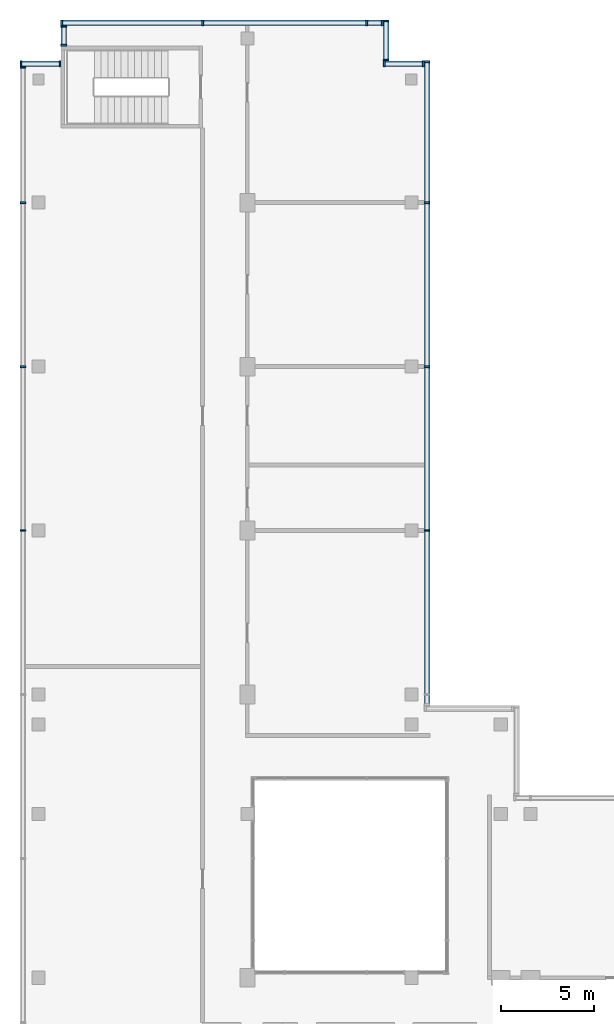
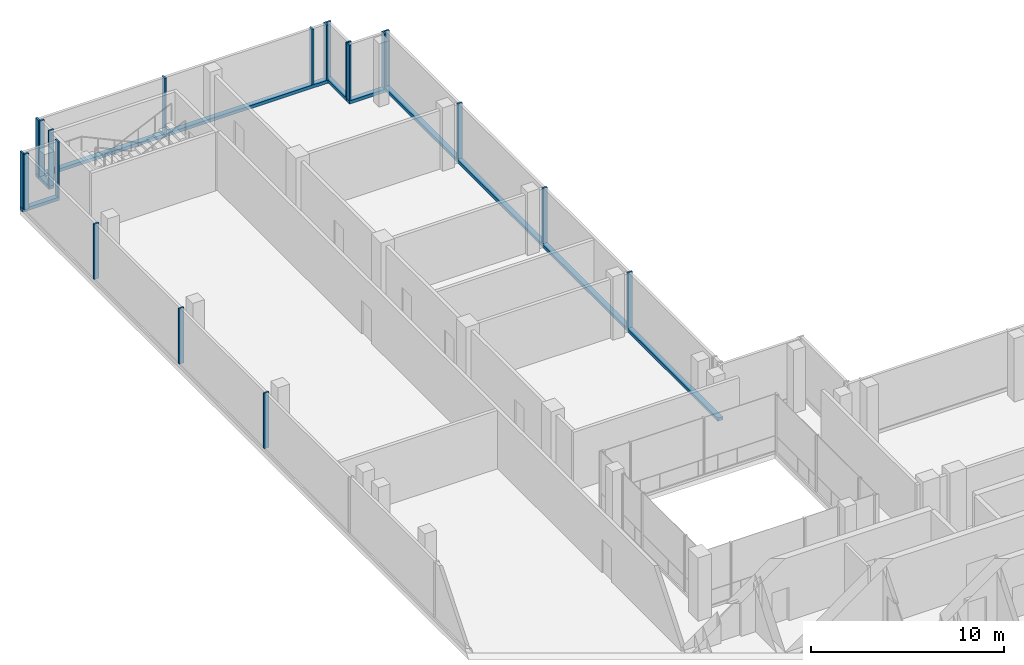
# One storey, part 6 of 10: 26 members, 7 elements without a shape of their own.
"""IFC4 building model written with IfcOpenShell, lengths in metres."""

from ifc_helpers import new_model, si_unit, direction, frame, origin, origin_2d, place, context, subcontext, project, spatial, rectangle, extrude, source, transform, mapped, material, material_profile, profile_set, type_object, element, aggregate, save


model = new_model("IFC4")

# Units and contexts
model_context = context("Model", 3, precision=1e-05, world=origin(), true_north=direction((0.0, 1.0)))
body_context = subcontext(model_context, "Body", "Model", "MODEL_VIEW")
ifc_project = project(units=[si_unit("LENGTHUNIT", "METRE"), si_unit("AREAUNIT", "SQUARE_METRE"), si_unit("VOLUMEUNIT", "CUBIC_METRE"), si_unit("PLANEANGLEUNIT", "RADIAN"), si_unit("MASSUNIT", "GRAM", prefix="KILO")], contexts=[model_context])

# Site, building, storey
site_placement = place(None, origin())
site = spatial("IfcSite", under=ifc_project, at=site_placement, CompositionType="ELEMENT")
building_placement = place(site_placement, origin())
building = spatial("IfcBuilding", under=site, at=building_placement, Name="Kemantara Hotel Tower", CompositionType="ELEMENT")
storey_placement = place(building_placement, frame((0.0, 0.0, 318.199951171875)))
storey = spatial("IfcBuildingStorey", under=building, at=storey_placement, Name="L80", CompositionType="ELEMENT", Elevation=318.199951171875)

# Curtain wall, member
ifc_material = material(Name="Aluminium 6063-T6 bronze anodised", Category="aluminium")
curtain_wall_type = type_object("IfcCurtainWallType", Name="CROWN LOUVRE SCREEN WALL", PredefinedType="USERDEFINED", material=ifc_material)
curtain_wall_1_placement = place(storey_placement, origin())
curtain_wall_1 = element("IfcCurtainWall", 1, at=curtain_wall_1_placement, inside=storey, type_object=curtain_wall_type, Name="CW7 L80 CRN-R02-1", ObjectType="CROWN LOUVRE SCREEN WALL", PredefinedType="USERDEFINED")
ifc_material_profile_1 = material_profile(ifc_material, rectangle(XDim=0.300048828125, YDim=0.199951171875, at=origin_2d()), Name="CROWN LOUVRE SCREEN WALL TRANSOM")
ifc_profile_set_1 = profile_set([ifc_material_profile_1], Name="Aluminium 6063-T6 bronze anodised")
member_type_1 = type_object("IfcMemberType", Name="CROWN LOUVRE SCREEN WALL TRANSOM", PredefinedType="USERDEFINED", material=ifc_profile_set_1)
member_1_placement = place(storey_placement, frame((19.5, 63.449951171875, 0.10009765625), z_axis=(-1.0, 0.0, 0.0), x_axis=(0.0, -1.0, 0.0)))
member_1 = element("IfcMember", 2, at=member_1_placement, type_object=member_type_1, Name="CW7 sill transom CRN-R02-1", ObjectType="TRANSOM", PredefinedType="USERDEFINED", context=body_context, shape_type="SweptSolid", body=[
    extrude(rectangle(XDim=0.300048828125, YDim=0.199951171875, at=origin_2d()), origin(), (0.0, 0.0, 1.0), 17.300048828125),
])

curtain_wall_2_placement = place(storey_placement, origin())
curtain_wall_2 = element("IfcCurtainWall", 3, at=curtain_wall_2_placement, inside=storey, type_object=curtain_wall_type, Name="CW7 L80 CRN-R15-1", ObjectType="CROWN LOUVRE SCREEN WALL", PredefinedType="USERDEFINED")
member_2_placement = place(storey_placement, frame((21.85009765625, 26.800048828125, 0.10009765625), z_axis=(0.0, 1.0, 0.0), x_axis=(-1.0, 0.0, 0.0)))
member_2 = element("IfcMember", 4, at=member_2_placement, type_object=member_type_1, Name="CW7 sill transom CRN-R15-1", ObjectType="TRANSOM", PredefinedType="USERDEFINED", context=body_context, shape_type="SweptSolid", body=[
    extrude(rectangle(XDim=0.300048828125, YDim=0.199951171875, at=origin_2d()), origin(), (0.0, 0.0, 1.0), 34.599853515625),
])

curtain_wall_3_placement = place(storey_placement, origin())
curtain_wall_3 = element("IfcCurtainWall", 5, at=curtain_wall_3_placement, inside=storey, type_object=curtain_wall_type, Name="CW7 L80 CRN-R00-1", ObjectType="CROWN LOUVRE SCREEN WALL", PredefinedType="USERDEFINED")
member_3_placement = place(storey_placement, frame((21.699951171875, 61.25, 0.10009765625), z_axis=(-1.0, 0.0, 0.0), x_axis=(0.0, -1.0, 0.0)))
member_3 = element("IfcMember", 6, at=member_3_placement, type_object=member_type_1, Name="CW7 sill transom CRN-R00-1", ObjectType="TRANSOM", PredefinedType="USERDEFINED", context=body_context, shape_type="SweptSolid", body=[
    extrude(rectangle(XDim=0.300048828125, YDim=0.199951171875, at=origin_2d()), origin(), (0.0, 0.0, 1.0), 2.199951171875),
])

curtain_wall_4_placement = place(storey_placement, origin())
curtain_wall_4 = element("IfcCurtainWall", 7, at=curtain_wall_4_placement, inside=storey, type_object=curtain_wall_type, Name="CW7 L80 CRN-R01-1", ObjectType="CROWN LOUVRE SCREEN WALL", PredefinedType="USERDEFINED")
member_4_placement = place(storey_placement, frame((19.64990234375, 61.39990234375, 0.10009765625), z_axis=(0.0, 1.0, 0.0), x_axis=(-1.0, 0.0, 0.0)))
member_4 = element("IfcMember", 8, at=member_4_placement, type_object=member_type_1, Name="CW7 sill transom CRN-R01-1", ObjectType="TRANSOM", PredefinedType="USERDEFINED", context=body_context, shape_type="SweptSolid", body=[
    extrude(rectangle(XDim=0.300048828125, YDim=0.199951171875, at=origin_2d()), origin(), (0.0, 0.0, 1.0), 2.2001953125),
])

curtain_wall_5_placement = place(storey_placement, origin())
curtain_wall_5 = element("IfcCurtainWall", 9, at=curtain_wall_5_placement, inside=storey, type_object=curtain_wall_type, Name="CW7 L80 CRN-R03-1", ObjectType="CROWN LOUVRE SCREEN WALL", PredefinedType="USERDEFINED")
member_5_placement = place(storey_placement, frame((2.35009765625, 63.300048828125, 0.10009765625), z_axis=(0.0, -1.0, 0.0), x_axis=(1.0, 0.0, 0.0)))
member_5 = element("IfcMember", 10, at=member_5_placement, type_object=member_type_1, Name="CW7 sill transom CRN-R03-1", ObjectType="TRANSOM", PredefinedType="USERDEFINED", context=body_context, shape_type="SweptSolid", body=[
    extrude(rectangle(XDim=0.300048828125, YDim=0.199951171875, at=origin_2d()), origin(), (0.0, 0.0, 1.0), 1.10009765625),
])

curtain_wall_6_placement = place(storey_placement, origin())
curtain_wall_6 = element("IfcCurtainWall", 11, at=curtain_wall_6_placement, inside=storey, type_object=curtain_wall_type, Name="CW7 L80 CRN-R04-1", ObjectType="CROWN LOUVRE SCREEN WALL", PredefinedType="USERDEFINED")
member_6_placement = place(storey_placement, frame((2.199951171875, 61.25, 0.10009765625), z_axis=(-1.0, 0.0, 0.0), x_axis=(0.0, -1.0, 0.0)))
member_6 = element("IfcMember", 12, at=member_6_placement, type_object=member_type_1, Name="CW7 sill transom CRN-R04-1", ObjectType="TRANSOM", PredefinedType="USERDEFINED", context=body_context, shape_type="SweptSolid", body=[
    extrude(rectangle(XDim=0.300048828125, YDim=0.199951171875, at=origin_2d()), origin(), (0.0, 0.0, 1.0), 2.199951171875),
])

# Member
ifc_material_profile_2 = material_profile(ifc_material, rectangle(XDim=0.300048828125, YDim=0.10009765625, at=origin_2d()), Name="CROWN LOUVRE SCREEN WALL MULLION")
ifc_profile_set_2 = profile_set([ifc_material_profile_2], Name="Aluminium 6063-T6 bronze anodised")
member_type_2 = type_object("IfcMemberType", Name="CROWN LOUVRE SCREEN WALL MULLION", PredefinedType="MULLION", material=ifc_profile_set_2)
shared_shape = source(origin(), body_context, "Body", "SweptSolid", [
    extrude(rectangle(XDim=0.300048828125, YDim=0.10009765625, at=origin_2d()), origin(), (0.0, 0.0, 1.0), 3.5),
])
member_7_placement = place(storey_placement, frame((19.449951171875, 63.449951171875, 0.199951171875), z_axis=(0.0, 0.0, 1.0), x_axis=(0.0, -1.0, 0.0)))
member_7 = element("IfcMember", 13, at=member_7_placement, type_object=member_type_2, Name="CW7 mullion CRN-R02-1.1", PredefinedType="MULLION", context=body_context, shape_type="MappedRepresentation", body=[
    mapped(shared_shape, transform((0.0, 0.0, 0.0))),
])

member_8_placement = place(storey_placement, frame((18.60009765625, 63.449951171875, 0.199951171875), z_axis=(0.0, 0.0, 1.0), x_axis=(0.0, -1.0, 0.0)))
member_8 = element("IfcMember", 14, at=member_8_placement, type_object=member_type_2, Name="CW7 mullion CRN-R02-1.2", PredefinedType="MULLION", context=body_context, shape_type="MappedRepresentation", body=[
    mapped(shared_shape, transform((0.0, 0.0, 0.0))),
])

member_9_placement = place(storey_placement, frame((9.800048828125, 63.449951171875, 0.199951171875), z_axis=(0.0, 0.0, 1.0), x_axis=(0.0, -1.0, 0.0)))
member_9 = element("IfcMember", 15, at=member_9_placement, type_object=member_type_2, Name="CW7 mullion CRN-R02-1.3", PredefinedType="MULLION", context=body_context, shape_type="MappedRepresentation", body=[
    mapped(shared_shape, transform((0.0, 0.0, 0.0))),
])

member_10_placement = place(storey_placement, frame((2.25, 63.449951171875, 0.199951171875), z_axis=(0.0, 0.0, 1.0), x_axis=(0.0, -1.0, 0.0)))
member_10 = element("IfcMember", 16, at=member_10_placement, type_object=member_type_2, Name="CW7 mullion CRN-R02-1.4", PredefinedType="MULLION", context=body_context, shape_type="MappedRepresentation", body=[
    mapped(shared_shape, transform((0.0, 0.0, 0.0))),
])

aggregate(curtain_wall_1, [member_1, member_7, member_8, member_9, member_10])

# Curtain wall, members
curtain_wall_7_placement = place(storey_placement, origin())
curtain_wall_7 = element("IfcCurtainWall", 17, at=curtain_wall_7_placement, inside=storey, type_object=curtain_wall_type, Name="CW7 L80 CRN-R05-1", ObjectType="CROWN LOUVRE SCREEN WALL", PredefinedType="USERDEFINED")
member_11_placement = place(storey_placement, frame((0.14990234375, 61.050048828125, 0.199951171875), z_axis=(0.0, 0.0, 1.0), x_axis=(1.0, 0.0, 0.0)))
member_11 = element("IfcMember", 18, at=member_11_placement, type_object=member_type_2, Name="CW7 mullion CRN-R05-1.1", PredefinedType="MULLION", context=body_context, shape_type="MappedRepresentation", body=[
    mapped(shared_shape, transform((0.0, 0.0, 0.0))),
])
member_12_placement = place(storey_placement, frame((0.14990234375, 53.800048828125, 0.199951171875), z_axis=(0.0, 0.0, 1.0), x_axis=(1.0, 0.0, 0.0)))
member_12 = element("IfcMember", 19, at=member_12_placement, type_object=member_type_2, Name="CW7 mullion CRN-R05-1.2", PredefinedType="MULLION", context=body_context, shape_type="MappedRepresentation", body=[
    mapped(shared_shape, transform((0.0, 0.0, 0.0))),
])
member_13_placement = place(storey_placement, frame((0.14990234375, 45.0, 0.199951171875), z_axis=(0.0, 0.0, 1.0), x_axis=(1.0, 0.0, 0.0)))
member_13 = element("IfcMember", 20, at=member_13_placement, type_object=member_type_2, Name="CW7 mullion CRN-R05-1.3", PredefinedType="MULLION", context=body_context, shape_type="MappedRepresentation", body=[
    mapped(shared_shape, transform((0.0, 0.0, 0.0))),
])
member_14_placement = place(storey_placement, frame((0.14990234375, 36.199951171875, 0.199951171875), z_axis=(0.0, 0.0, 1.0), x_axis=(1.0, 0.0, 0.0)))
member_14 = element("IfcMember", 21, at=member_14_placement, type_object=member_type_2, Name="CW7 mullion CRN-R05-1.4", PredefinedType="MULLION", context=body_context, shape_type="MappedRepresentation", body=[
    mapped(shared_shape, transform((0.0, 0.0, 0.0))),
])
aggregate(curtain_wall_7, [member_11, member_12, member_13, member_14])

# Member
member_15_placement = place(storey_placement, frame((21.85009765625, 36.199951171875, 0.199951171875), z_axis=(0.0, 0.0, 1.0), x_axis=(-1.0, 0.0, 0.0)))
member_15 = element("IfcMember", 22, at=member_15_placement, type_object=member_type_2, Name="CW7 mullion CRN-R15-1.3", PredefinedType="MULLION", context=body_context, shape_type="MappedRepresentation", body=[
    mapped(shared_shape, transform((0.0, 0.0, 0.0))),
])

member_16_placement = place(storey_placement, frame((21.85009765625, 45.0, 0.199951171875), z_axis=(0.0, 0.0, 1.0), x_axis=(-1.0, 0.0, 0.0)))
member_16 = element("IfcMember", 23, at=member_16_placement, type_object=member_type_2, Name="CW7 mullion CRN-R15-1.4", PredefinedType="MULLION", context=body_context, shape_type="MappedRepresentation", body=[
    mapped(shared_shape, transform((0.0, 0.0, 0.0))),
])

member_17_placement = place(storey_placement, frame((21.85009765625, 53.800048828125, 0.199951171875), z_axis=(0.0, 0.0, 1.0), x_axis=(-1.0, 0.0, 0.0)))
member_17 = element("IfcMember", 24, at=member_17_placement, type_object=member_type_2, Name="CW7 mullion CRN-R15-1.5", PredefinedType="MULLION", context=body_context, shape_type="MappedRepresentation", body=[
    mapped(shared_shape, transform((0.0, 0.0, 0.0))),
])

member_18_placement = place(storey_placement, frame((21.85009765625, 61.35009765625, 0.199951171875), z_axis=(0.0, 0.0, 1.0), x_axis=(-1.0, 0.0, 0.0)))
member_18 = element("IfcMember", 25, at=member_18_placement, type_object=member_type_2, Name="CW7 mullion CRN-R15-1.6", PredefinedType="MULLION", context=body_context, shape_type="MappedRepresentation", body=[
    mapped(shared_shape, transform((0.0, 0.0, 0.0))),
])

aggregate(curtain_wall_2, [member_2, member_15, member_16, member_17, member_18])

member_19_placement = place(storey_placement, frame((21.64990234375, 61.25, 0.199951171875), z_axis=(0.0, 0.0, 1.0), x_axis=(0.0, -1.0, 0.0)))
member_19 = element("IfcMember", 26, at=member_19_placement, type_object=member_type_2, Name="CW7 mullion CRN-R00-1.1", PredefinedType="MULLION", context=body_context, shape_type="MappedRepresentation", body=[
    mapped(shared_shape, transform((0.0, 0.0, 0.0))),
])

member_20_placement = place(storey_placement, frame((19.550048828125, 61.25, 0.199951171875), z_axis=(0.0, 0.0, 1.0), x_axis=(0.0, -1.0, 0.0)))
member_20 = element("IfcMember", 27, at=member_20_placement, type_object=member_type_2, Name="CW7 mullion CRN-R00-1.2", PredefinedType="MULLION", context=body_context, shape_type="MappedRepresentation", body=[
    mapped(shared_shape, transform((0.0, 0.0, 0.0))),
])

aggregate(curtain_wall_3, [member_3, member_19, member_20])

member_21_placement = place(storey_placement, frame((19.64990234375, 61.449951171875, 0.199951171875), z_axis=(0.0, 0.0, 1.0), x_axis=(-1.0, 0.0, 0.0)))
member_21 = element("IfcMember", 28, at=member_21_placement, type_object=member_type_2, Name="CW7 mullion CRN-R01-1.1", PredefinedType="MULLION", context=body_context, shape_type="MappedRepresentation", body=[
    mapped(shared_shape, transform((0.0, 0.0, 0.0))),
])

member_22_placement = place(storey_placement, frame((19.64990234375, 63.550048828125, 0.199951171875), z_axis=(0.0, 0.0, 1.0), x_axis=(-1.0, 0.0, 0.0)))
member_22 = element("IfcMember", 29, at=member_22_placement, type_object=member_type_2, Name="CW7 mullion CRN-R01-1.2", PredefinedType="MULLION", context=body_context, shape_type="MappedRepresentation", body=[
    mapped(shared_shape, transform((0.0, 0.0, 0.0))),
])

aggregate(curtain_wall_4, [member_4, member_21, member_22])

member_23_placement = place(storey_placement, frame((2.35009765625, 63.25, 0.199951171875), z_axis=(0.0, 0.0, 1.0), x_axis=(1.0, 0.0, 0.0)))
member_23 = element("IfcMember", 30, at=member_23_placement, type_object=member_type_2, Name="CW7 mullion CRN-R03-1.1", PredefinedType="MULLION", context=body_context, shape_type="MappedRepresentation", body=[
    mapped(shared_shape, transform((0.0, 0.0, 0.0))),
])

member_24_placement = place(storey_placement, frame((2.35009765625, 62.25, 0.199951171875), z_axis=(0.0, 0.0, 1.0), x_axis=(1.0, 0.0, 0.0)))
member_24 = element("IfcMember", 31, at=member_24_placement, type_object=member_type_2, Name="CW7 mullion CRN-R03-1.2", PredefinedType="MULLION", context=body_context, shape_type="MappedRepresentation", body=[
    mapped(shared_shape, transform((0.0, 0.0, 0.0))),
])

aggregate(curtain_wall_5, [member_5, member_23, member_24])

member_25_placement = place(storey_placement, frame((2.14990234375, 61.25, 0.199951171875), z_axis=(0.0, 0.0, 1.0), x_axis=(0.0, -1.0, 0.0)))
member_25 = element("IfcMember", 32, at=member_25_placement, type_object=member_type_2, Name="CW7 mullion CRN-R04-1.1", PredefinedType="MULLION", context=body_context, shape_type="MappedRepresentation", body=[
    mapped(shared_shape, transform((0.0, 0.0, 0.0))),
])

member_26_placement = place(storey_placement, frame((0.050048828125, 61.25, 0.199951171875), z_axis=(0.0, 0.0, 1.0), x_axis=(0.0, -1.0, 0.0)))
member_26 = element("IfcMember", 33, at=member_26_placement, type_object=member_type_2, Name="CW7 mullion CRN-R04-1.2", PredefinedType="MULLION", context=body_context, shape_type="MappedRepresentation", body=[
    mapped(shared_shape, transform((0.0, 0.0, 0.0))),
])

aggregate(curtain_wall_6, [member_6, member_25, member_26])

save(model, "model.ifc")
